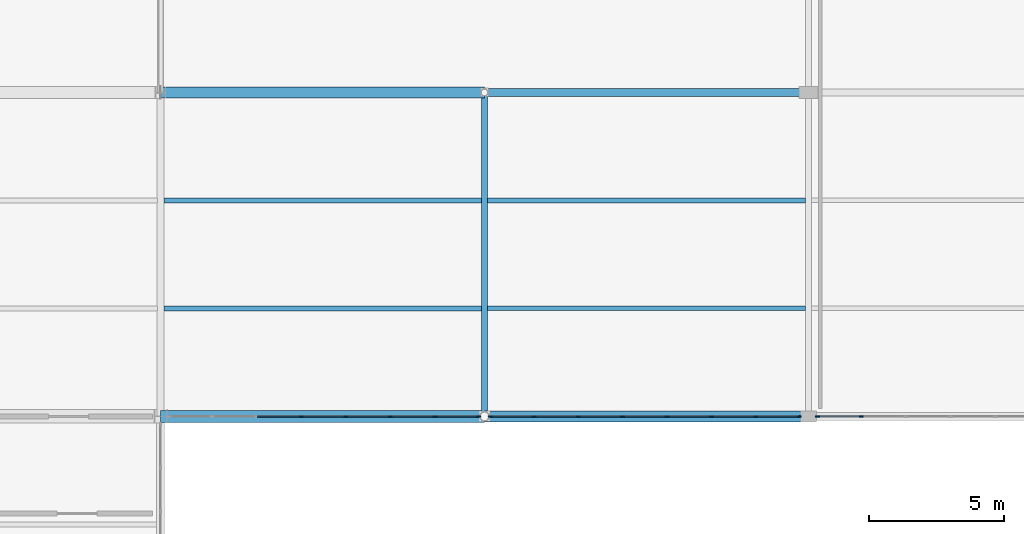
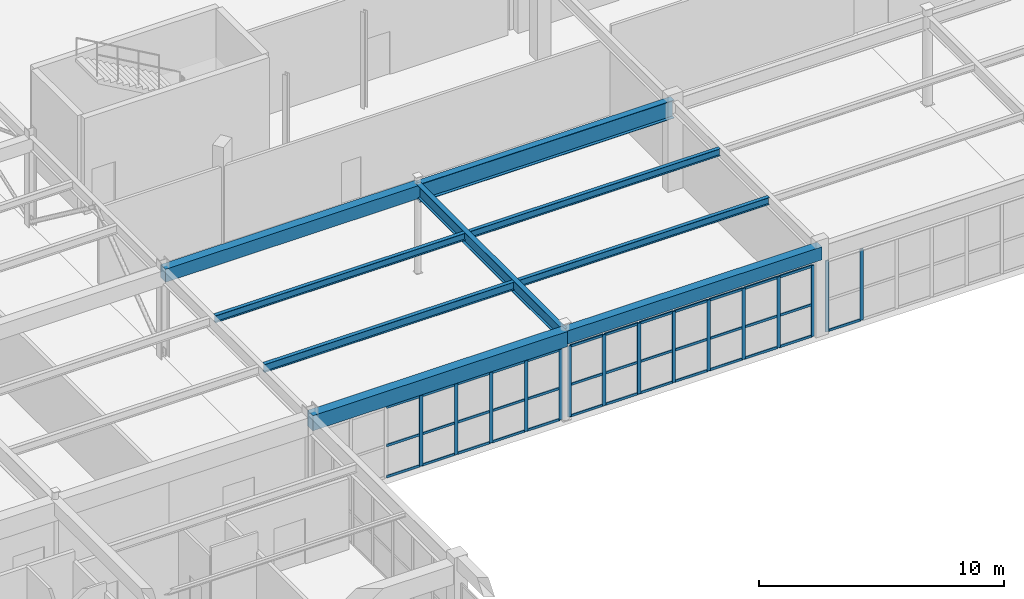
# One storey, part 96 of 226: 52 members, 9 beams, 3 elements without a shape of their own.
"""IFC4 building model written with IfcOpenShell, lengths in metres."""

from ifc_helpers import new_model, si_unit, direction, frame, origin, origin_2d, place, context, subcontext, project, spatial, rectangle, i_section, extrude, material, layer, layer_set, material_profile, profile_set, type_object, element, aggregate, save


model = new_model("IFC4")

# Units and contexts
model_context = context("Model", 3, precision=1e-05, world=origin(), true_north=direction((0.0, 1.0)))
body_context = subcontext(model_context, "Body", "Model", "MODEL_VIEW")
ifc_project = project(units=[si_unit("LENGTHUNIT", "METRE"), si_unit("AREAUNIT", "SQUARE_METRE"), si_unit("VOLUMEUNIT", "CUBIC_METRE"), si_unit("PLANEANGLEUNIT", "RADIAN"), si_unit("MASSUNIT", "GRAM", prefix="KILO")], contexts=[model_context])

# Site, building, storey
site_placement = place(None, origin())
site = spatial("IfcSite", under=ifc_project, at=site_placement, CompositionType="ELEMENT")
building_placement = place(site_placement, origin())
building = spatial("IfcBuilding", under=site, at=building_placement, Name="Tarnwether General Hospital", CompositionType="ELEMENT")
storey_placement = place(building_placement, frame((0.0, 0.0, 4.800048828125)))
storey = spatial("IfcBuildingStorey", under=building, at=storey_placement, Name="L01", CompositionType="ELEMENT", Elevation=4.800048828125)

# Beams
ifc_material_1 = material(Name="Steel Grade 350 (350 MPa)", Category="steel")
ifc_material_profile_1 = material_profile(ifc_material_1, i_section(OverallWidth=0.300048828125, OverallDepth=0.89990234375, WebThickness=0.011962890625, FlangeThickness=0.02001953125, at=origin_2d()), Name="900WB175")
ifc_profile_set_1 = profile_set([ifc_material_profile_1], Name="Steel Grade 350 (350 MPa)")
beam_type_1 = type_object("IfcBeamType", Name="BM-G01", PredefinedType="BEAM", material=ifc_profile_set_1)
beam_1_placement = place(storey_placement, frame((72.0, 93.60009765625, 3.994873046875), z_axis=(1.0, 0.0, 0.0), x_axis=(0.0, 1.0, 0.0)))
element("IfcBeam", 1, at=beam_1_placement, inside=storey, type_object=beam_type_1, Name="Primary Girder BMG-L01-7200_9360-8400_9360-1141", PredefinedType="BEAM", context=body_context, shape_type="SweptSolid", body=[
    extrude(i_section(OverallWidth=0.300048828125, OverallDepth=0.89990234375, WebThickness=0.011962890625, FlangeThickness=0.02001953125, at=origin_2d()), origin(), (0.0, 0.0, 1.0), 12.0),
])
ifc_material_2 = material(Name="Steel Grade 350 (350 MPa)", Category="steel")
ifc_material_profile_2 = material_profile(ifc_material_2, i_section(OverallWidth=0.22900390625, OverallDepth=0.612060546875, WebThickness=0.011962890625, FlangeThickness=0.01953125, at=origin_2d()), Name="610UB125")
ifc_profile_set_2 = profile_set([ifc_material_profile_2], Name="Steel Grade 350 (350 MPa)")
beam_type_2 = type_object("IfcBeamType", Name="BM-G03", PredefinedType="BEAM", material=ifc_profile_set_2)
beam_2_placement = place(storey_placement, frame((72.0, 81.60009765625, 4.138916015625), z_axis=(0.0, 1.0, 0.0), x_axis=(-1.0, 0.0, 0.0)))
element("IfcBeam", 2, at=beam_2_placement, inside=storey, type_object=beam_type_2, Name="Primary Girder BMG-L01-7200_8160-7200_9360-1140", PredefinedType="BEAM", context=body_context, shape_type="SweptSolid", body=[
    extrude(i_section(OverallWidth=0.22900390625, OverallDepth=0.612060546875, WebThickness=0.011962890625, FlangeThickness=0.01953125, at=origin_2d()), origin(), (0.0, 0.0, 1.0), 12.0),
])
ifc_material_3 = material(Name="Concrete 40 MPa", Category="concrete")
ifc_material_profile_3 = material_profile(ifc_material_3, rectangle(XDim=0.449951171875, YDim=0.75, at=origin_2d()), Name="RC-BM-450x750")
ifc_profile_set_3 = profile_set([ifc_material_profile_3], Name="Concrete 40 MPa")
beam_type_3 = type_object("IfcBeamType", Name="BM-G13", PredefinedType="BEAM", material=ifc_profile_set_3)
beam_3_placement = place(storey_placement, frame((60.0, 81.60009765625, 4.070068359375), z_axis=(1.0, 0.0, 0.0), x_axis=(0.0, 1.0, 0.0)))
element("IfcBeam", 3, at=beam_3_placement, inside=storey, type_object=beam_type_3, Name="Primary Girder BMG-L01-6000_8160-7200_8160-1128", PredefinedType="BEAM", context=body_context, shape_type="SweptSolid", body=[
    extrude(rectangle(XDim=0.449951171875, YDim=0.75, at=origin_2d()), origin(), (0.0, 0.0, 1.0), 12.0),
])
ifc_material_4 = material(Name="Concrete 40 MPa", Category="concrete")
ifc_material_profile_4 = material_profile(ifc_material_4, rectangle(XDim=0.39990234375, YDim=0.64990234375, at=origin_2d()), Name="RC-BM-400x650")
ifc_profile_set_4 = profile_set([ifc_material_profile_4], Name="Concrete 40 MPa")
beam_type_4 = type_object("IfcBeamType", Name="BM-G14", PredefinedType="BEAM", material=ifc_profile_set_4)
for number, where, z_axis, x_axis, name in (
    (4, (60.0, 93.60009765625, 4.119873046875), (1.0, 0.0, 0.0), (0.0, 1.0, 0.0), "Primary Girder BMG-L01-6000_9360-7200_9360-1130"),
    (5, (72.0, 81.60009765625, 4.119873046875), (1.0, 0.0, 0.0), (0.0, 1.0, 0.0), "Primary Girder BMG-L01-7200_8160-8400_8160-1139"),
):
    element("IfcBeam", number, at=place(storey_placement, frame(where, z_axis=z_axis, x_axis=x_axis)), inside=storey, type_object=beam_type_4, Name=name, PredefinedType="BEAM", context=body_context, shape_type="SweptSolid", body=[
        extrude(rectangle(XDim=0.39990234375, YDim=0.64990234375, at=origin_2d()), origin(), (0.0, 0.0, 1.0), 12.0),
    ])
ifc_material_5 = material(Name="Steel Grade 350 (350 MPa)", Category="steel")
ifc_material_profile_5 = material_profile(ifc_material_5, i_section(OverallWidth=0.177978515625, OverallDepth=0.403076171875, WebThickness=0.007568359375, FlangeThickness=0.010986328125, at=origin_2d()), Name="410UB53.7")
ifc_profile_set_5 = profile_set([ifc_material_profile_5], Name="Steel Grade 350 (350 MPa)")
beam_type_5 = type_object("IfcBeamType", Name="BM-J02", PredefinedType="JOIST", material=ifc_profile_set_5)
beam_4_placement = place(storey_placement, frame((60.118896484375, 85.60009765625, 4.243408203125), z_axis=(1.0, 0.0, 0.0), x_axis=(0.0, 1.0, 0.0)))
element("IfcBeam", 6, at=beam_4_placement, inside=storey, type_object=beam_type_5, Name="Composite Floor Joist BMG-L01-6012_8560-7189_8560-1355", PredefinedType="JOIST", context=body_context, shape_type="SweptSolid", body=[
    extrude(i_section(OverallWidth=0.177978515625, OverallDepth=0.403076171875, WebThickness=0.007568359375, FlangeThickness=0.010986328125, at=origin_2d()), origin(), (0.0, 0.0, 1.0), 11.772216796875),
])
ifc_material_6 = material(Name="Steel Grade 350 (350 MPa)", Category="steel")
ifc_material_profile_6 = material_profile(ifc_material_6, i_section(OverallWidth=0.172119140625, OverallDepth=0.35888671875, WebThickness=0.008056640625, FlangeThickness=0.012939453125, at=origin_2d()), Name="360UB56.7")
ifc_profile_set_6 = profile_set([ifc_material_profile_6], Name="Steel Grade 350 (350 MPa)")
beam_type_6 = type_object("IfcBeamType", Name="BM-J03", PredefinedType="JOIST", material=ifc_profile_set_6)
beam_5_placement = place(storey_placement, frame((60.118896484375, 89.60009765625, 4.265380859375), z_axis=(1.0, 0.0, 0.0), x_axis=(0.0, 1.0, 0.0)))
element("IfcBeam", 7, at=beam_5_placement, inside=storey, type_object=beam_type_6, Name="Composite Floor Joist BMG-L01-6012_8960-7189_8960-1356", PredefinedType="JOIST", context=body_context, shape_type="SweptSolid", body=[
    extrude(i_section(OverallWidth=0.172119140625, OverallDepth=0.35888671875, WebThickness=0.008056640625, FlangeThickness=0.012939453125, at=origin_2d()), origin(), (0.0, 0.0, 1.0), 11.772216796875),
])
beam_6_placement = place(storey_placement, frame((72.10888671875, 85.60009765625, 4.265380859375), z_axis=(1.0, 0.0, 0.0), x_axis=(0.0, 1.0, 0.0)))
element("IfcBeam", 8, at=beam_6_placement, inside=storey, type_object=beam_type_6, Name="Composite Floor Joist BMG-L01-7211_8560-8389_8560-1359", PredefinedType="JOIST", context=body_context, shape_type="SweptSolid", body=[
    extrude(i_section(OverallWidth=0.172119140625, OverallDepth=0.35888671875, WebThickness=0.008056640625, FlangeThickness=0.012939453125, at=origin_2d()), origin(), (0.0, 0.0, 1.0), 11.783203125),
])
ifc_material_7 = material(Name="Steel Grade 350 (350 MPa)", Category="steel")
ifc_material_profile_7 = material_profile(ifc_material_7, i_section(OverallWidth=0.1708984375, OverallDepth=0.35595703125, WebThickness=0.00732421875, FlangeThickness=0.011474609375, at=origin_2d()), Name="360UB50.7")
ifc_profile_set_7 = profile_set([ifc_material_profile_7], Name="Steel Grade 350 (350 MPa)")
beam_type_7 = type_object("IfcBeamType", Name="BM-J04", PredefinedType="JOIST", material=ifc_profile_set_7)
beam_7_placement = place(storey_placement, frame((72.10888671875, 89.60009765625, 4.266845703125), z_axis=(1.0, 0.0, 0.0), x_axis=(0.0, 1.0, 0.0)))
element("IfcBeam", 9, at=beam_7_placement, inside=storey, type_object=beam_type_7, Name="Composite Floor Joist BMG-L01-7211_8960-8389_8960-1360", PredefinedType="JOIST", context=body_context, shape_type="SweptSolid", body=[
    extrude(i_section(OverallWidth=0.1708984375, OverallDepth=0.35595703125, WebThickness=0.00732421875, FlangeThickness=0.011474609375, at=origin_2d()), origin(), (0.0, 0.0, 1.0), 11.783203125),
])

# Curtain wall, members
ifc_material_8 = material(Name="Anodised aluminium", Category="aluminium")
ifc_layer = layer(ifc_material_8, 0.159912109375)
ifc_layer_set = layer_set([ifc_layer], Name="Anodised aluminium")
curtain_wall_type = type_object("IfcCurtainWallType", Name="CW-23", PredefinedType="NOTDEFINED", material=ifc_layer_set)
curtain_wall_1_placement = place(storey_placement, origin())
curtain_wall_1 = element("IfcCurtainWall", 10, at=curtain_wall_1_placement, inside=storey, type_object=curtain_wall_type, Name="Curtain Wall CWG-L01-603_816-0339", PredefinedType="NOTDEFINED")
ifc_material_9 = material(Name="Anodised aluminium", Category="aluminium")
ifc_material_profile_8 = material_profile(ifc_material_9, rectangle(XDim=0.06005859375, YDim=0.159912109375, at=origin_2d()), Name="ALU-MUL-60x160")
ifc_profile_set_8 = profile_set([ifc_material_profile_8], Name="Anodised aluminium")
member_type_1 = type_object("IfcMemberType", Name="CW-ML1", PredefinedType="MULLION", material=ifc_profile_set_8)
member_1_placement = place(storey_placement, frame((65.210693359375, 81.60009765625, 0.0), z_axis=(0.0, 0.0, 1.0), x_axis=(0.0, 1.0, 0.0)))
member_1 = element("IfcMember", 11, at=member_1_placement, type_object=member_type_1, Name="CW-23 mullion 4", PredefinedType="MULLION", context=body_context, shape_type="SweptSolid", body=[
    extrude(rectangle(XDim=0.06005859375, YDim=0.159912109375, at=origin_2d()), origin(), (0.0, 0.0, 1.0), 3.514892578125),
])
member_2_placement = place(storey_placement, frame((66.861328125, 81.60009765625, 0.0), z_axis=(0.0, 0.0, 1.0), x_axis=(0.0, 1.0, 0.0)))
member_2 = element("IfcMember", 12, at=member_2_placement, type_object=member_type_1, Name="CW-23 mullion 5", PredefinedType="MULLION", context=body_context, shape_type="SweptSolid", body=[
    extrude(rectangle(XDim=0.06005859375, YDim=0.159912109375, at=origin_2d()), origin(), (0.0, 0.0, 1.0), 3.514892578125),
])
member_3_placement = place(storey_placement, frame((68.51220703125, 81.60009765625, 0.0), z_axis=(0.0, 0.0, 1.0), x_axis=(0.0, 1.0, 0.0)))
member_3 = element("IfcMember", 13, at=member_3_placement, type_object=member_type_1, Name="CW-23 mullion 6", PredefinedType="MULLION", context=body_context, shape_type="SweptSolid", body=[
    extrude(rectangle(XDim=0.06005859375, YDim=0.159912109375, at=origin_2d()), origin(), (0.0, 0.0, 1.0), 3.514892578125),
])
member_4_placement = place(storey_placement, frame((70.1630859375, 81.60009765625, 0.0), z_axis=(0.0, 0.0, 1.0), x_axis=(0.0, 1.0, 0.0)))
member_4 = element("IfcMember", 14, at=member_4_placement, type_object=member_type_1, Name="CW-23 mullion 7", PredefinedType="MULLION", context=body_context, shape_type="SweptSolid", body=[
    extrude(rectangle(XDim=0.06005859375, YDim=0.159912109375, at=origin_2d()), origin(), (0.0, 0.0, 1.0), 3.514892578125),
])
member_5_placement = place(storey_placement, frame((71.783935546875, 81.60009765625, 0.0), z_axis=(0.0, 0.0, 1.0), x_axis=(0.0, 1.0, 0.0)))
member_5 = element("IfcMember", 15, at=member_5_placement, type_object=member_type_1, Name="CW-23 mullion 8", PredefinedType="MULLION", context=body_context, shape_type="SweptSolid", body=[
    extrude(rectangle(XDim=0.06005859375, YDim=0.159912109375, at=origin_2d()), origin(), (0.0, 0.0, 1.0), 3.514892578125),
])

curtain_wall_2_placement = place(storey_placement, origin())
curtain_wall_2 = element("IfcCurtainWall", 16, at=curtain_wall_2_placement, inside=storey, type_object=curtain_wall_type, Name="Curtain Wall CWG-L01-722_816-0340", PredefinedType="NOTDEFINED")
member_6_placement = place(storey_placement, frame((72.216064453125, 81.60009765625, 0.0), z_axis=(0.0, 0.0, 1.0), x_axis=(0.0, 1.0, 0.0)))
member_6 = element("IfcMember", 17, at=member_6_placement, type_object=member_type_1, Name="CW-23 mullion 1", PredefinedType="MULLION", context=body_context, shape_type="SweptSolid", body=[
    extrude(rectangle(XDim=0.06005859375, YDim=0.159912109375, at=origin_2d()), origin(), (0.0, 0.0, 1.0), 3.530029296875),
])
member_7_placement = place(storey_placement, frame((73.829833984375, 81.60009765625, 0.0), z_axis=(0.0, 0.0, 1.0), x_axis=(0.0, 1.0, 0.0)))
member_7 = element("IfcMember", 18, at=member_7_placement, type_object=member_type_1, Name="CW-23 mullion 2", PredefinedType="MULLION", context=body_context, shape_type="SweptSolid", body=[
    extrude(rectangle(XDim=0.06005859375, YDim=0.159912109375, at=origin_2d()), origin(), (0.0, 0.0, 1.0), 3.530029296875),
])
member_8_placement = place(storey_placement, frame((75.473388671875, 81.60009765625, 0.0), z_axis=(0.0, 0.0, 1.0), x_axis=(0.0, 1.0, 0.0)))
member_8 = element("IfcMember", 19, at=member_8_placement, type_object=member_type_1, Name="CW-23 mullion 3", PredefinedType="MULLION", context=body_context, shape_type="SweptSolid", body=[
    extrude(rectangle(XDim=0.06005859375, YDim=0.159912109375, at=origin_2d()), origin(), (0.0, 0.0, 1.0), 3.530029296875),
])
member_9_placement = place(storey_placement, frame((77.1171875, 81.60009765625, 0.0), z_axis=(0.0, 0.0, 1.0), x_axis=(0.0, 1.0, 0.0)))
member_9 = element("IfcMember", 20, at=member_9_placement, type_object=member_type_1, Name="CW-23 mullion 4", PredefinedType="MULLION", context=body_context, shape_type="SweptSolid", body=[
    extrude(rectangle(XDim=0.06005859375, YDim=0.159912109375, at=origin_2d()), origin(), (0.0, 0.0, 1.0), 3.530029296875),
])
member_10_placement = place(storey_placement, frame((78.7607421875, 81.60009765625, 0.0), z_axis=(0.0, 0.0, 1.0), x_axis=(0.0, 1.0, 0.0)))
member_10 = element("IfcMember", 21, at=member_10_placement, type_object=member_type_1, Name="CW-23 mullion 5", PredefinedType="MULLION", context=body_context, shape_type="SweptSolid", body=[
    extrude(rectangle(XDim=0.06005859375, YDim=0.159912109375, at=origin_2d()), origin(), (0.0, 0.0, 1.0), 3.530029296875),
])
member_11_placement = place(storey_placement, frame((80.404541015625, 81.60009765625, 0.0), z_axis=(0.0, 0.0, 1.0), x_axis=(0.0, 1.0, 0.0)))
member_11 = element("IfcMember", 22, at=member_11_placement, type_object=member_type_1, Name="CW-23 mullion 6", PredefinedType="MULLION", context=body_context, shape_type="SweptSolid", body=[
    extrude(rectangle(XDim=0.06005859375, YDim=0.159912109375, at=origin_2d()), origin(), (0.0, 0.0, 1.0), 3.530029296875),
])
member_12_placement = place(storey_placement, frame((82.04833984375, 81.60009765625, 0.0), z_axis=(0.0, 0.0, 1.0), x_axis=(0.0, 1.0, 0.0)))
member_12 = element("IfcMember", 23, at=member_12_placement, type_object=member_type_1, Name="CW-23 mullion 7", PredefinedType="MULLION", context=body_context, shape_type="SweptSolid", body=[
    extrude(rectangle(XDim=0.06005859375, YDim=0.159912109375, at=origin_2d()), origin(), (0.0, 0.0, 1.0), 3.530029296875),
])
member_13_placement = place(storey_placement, frame((83.662109375, 81.60009765625, 0.0), z_axis=(0.0, 0.0, 1.0), x_axis=(0.0, 1.0, 0.0)))
member_13 = element("IfcMember", 24, at=member_13_placement, type_object=member_type_1, Name="CW-23 mullion 8", PredefinedType="MULLION", context=body_context, shape_type="SweptSolid", body=[
    extrude(rectangle(XDim=0.06005859375, YDim=0.159912109375, at=origin_2d()), origin(), (0.0, 0.0, 1.0), 3.530029296875),
])

curtain_wall_3_placement = place(storey_placement, origin())
curtain_wall_3 = element("IfcCurtainWall", 25, at=curtain_wall_3_placement, inside=storey, type_object=curtain_wall_type, Name="Curtain Wall CWG-L01-843_816-0341", PredefinedType="NOTDEFINED")
member_14_placement = place(storey_placement, frame((84.337890625, 81.60009765625, 0.0), z_axis=(0.0, 0.0, 1.0), x_axis=(0.0, 1.0, 0.0)))
member_14 = element("IfcMember", 26, at=member_14_placement, type_object=member_type_1, Name="CW-23 mullion 1", PredefinedType="MULLION", context=body_context, shape_type="SweptSolid", body=[
    extrude(rectangle(XDim=0.06005859375, YDim=0.159912109375, at=origin_2d()), origin(), (0.0, 0.0, 1.0), 3.530029296875),
])
member_15_placement = place(storey_placement, frame((85.958740234375, 81.60009765625, 0.0), z_axis=(0.0, 0.0, 1.0), x_axis=(0.0, 1.0, 0.0)))
member_15 = element("IfcMember", 27, at=member_15_placement, type_object=member_type_1, Name="CW-23 mullion 2", PredefinedType="MULLION", context=body_context, shape_type="SweptSolid", body=[
    extrude(rectangle(XDim=0.06005859375, YDim=0.159912109375, at=origin_2d()), origin(), (0.0, 0.0, 1.0), 3.530029296875),
])

# Member
ifc_material_10 = material(Name="Anodised aluminium", Category="aluminium")
ifc_material_profile_9 = material_profile(ifc_material_10, rectangle(XDim=0.06005859375, YDim=0.1201171875, at=origin_2d()), Name="ALU-TRN-60x120")
ifc_profile_set_9 = profile_set([ifc_material_profile_9], Name="Anodised aluminium")
member_type_2 = type_object("IfcMemberType", Name="CW-TR1", PredefinedType="USERDEFINED", material=ifc_profile_set_9)
member_16_placement = place(storey_placement, frame((63.589599609375, 81.60009765625, 0.030029296875), z_axis=(1.0, 0.0, 0.0), x_axis=(0.0, 1.0, 0.0)))
member_16 = element("IfcMember", 28, at=member_16_placement, type_object=member_type_2, Name="CW-23 transom 3.1", ObjectType="TRANSOM", PredefinedType="USERDEFINED", context=body_context, shape_type="SweptSolid", body=[
    extrude(rectangle(XDim=0.06005859375, YDim=0.1201171875, at=origin_2d()), origin(), (0.0, 0.0, 1.0), 1.591064453125),
])

member_17_placement = place(storey_placement, frame((63.589599609375, 81.60009765625, 1.581787109375), z_axis=(1.0, 0.0, 0.0), x_axis=(0.0, 1.0, 0.0)))
member_17 = element("IfcMember", 29, at=member_17_placement, type_object=member_type_2, Name="CW-23 transom 3.2", ObjectType="TRANSOM", PredefinedType="USERDEFINED", context=body_context, shape_type="SweptSolid", body=[
    extrude(rectangle(XDim=0.06005859375, YDim=0.1201171875, at=origin_2d()), origin(), (0.0, 0.0, 1.0), 1.591064453125),
])

member_18_placement = place(storey_placement, frame((63.589599609375, 81.60009765625, 3.48486328125), z_axis=(1.0, 0.0, 0.0), x_axis=(0.0, 1.0, 0.0)))
member_18 = element("IfcMember", 30, at=member_18_placement, type_object=member_type_2, Name="CW-23 transom 3.3", ObjectType="TRANSOM", PredefinedType="USERDEFINED", context=body_context, shape_type="SweptSolid", body=[
    extrude(rectangle(XDim=0.06005859375, YDim=0.1201171875, at=origin_2d()), origin(), (0.0, 0.0, 1.0), 1.591064453125),
])

member_19_placement = place(storey_placement, frame((65.240478515625, 81.60009765625, 0.030029296875), z_axis=(1.0, 0.0, 0.0), x_axis=(0.0, 1.0, 0.0)))
member_19 = element("IfcMember", 31, at=member_19_placement, type_object=member_type_2, Name="CW-23 transom 4.1", ObjectType="TRANSOM", PredefinedType="USERDEFINED", context=body_context, shape_type="SweptSolid", body=[
    extrude(rectangle(XDim=0.06005859375, YDim=0.1201171875, at=origin_2d()), origin(), (0.0, 0.0, 1.0), 1.591064453125),
])

member_20_placement = place(storey_placement, frame((65.240478515625, 81.60009765625, 1.581787109375), z_axis=(1.0, 0.0, 0.0), x_axis=(0.0, 1.0, 0.0)))
member_20 = element("IfcMember", 32, at=member_20_placement, type_object=member_type_2, Name="CW-23 transom 4.2", ObjectType="TRANSOM", PredefinedType="USERDEFINED", context=body_context, shape_type="SweptSolid", body=[
    extrude(rectangle(XDim=0.06005859375, YDim=0.1201171875, at=origin_2d()), origin(), (0.0, 0.0, 1.0), 1.591064453125),
])

member_21_placement = place(storey_placement, frame((65.240478515625, 81.60009765625, 3.48486328125), z_axis=(1.0, 0.0, 0.0), x_axis=(0.0, 1.0, 0.0)))
member_21 = element("IfcMember", 33, at=member_21_placement, type_object=member_type_2, Name="CW-23 transom 4.3", ObjectType="TRANSOM", PredefinedType="USERDEFINED", context=body_context, shape_type="SweptSolid", body=[
    extrude(rectangle(XDim=0.06005859375, YDim=0.1201171875, at=origin_2d()), origin(), (0.0, 0.0, 1.0), 1.591064453125),
])

member_22_placement = place(storey_placement, frame((66.891357421875, 81.60009765625, 0.030029296875), z_axis=(1.0, 0.0, 0.0), x_axis=(0.0, 1.0, 0.0)))
member_22 = element("IfcMember", 34, at=member_22_placement, type_object=member_type_2, Name="CW-23 transom 5.1", ObjectType="TRANSOM", PredefinedType="USERDEFINED", context=body_context, shape_type="SweptSolid", body=[
    extrude(rectangle(XDim=0.06005859375, YDim=0.1201171875, at=origin_2d()), origin(), (0.0, 0.0, 1.0), 1.5908203125),
])

member_23_placement = place(storey_placement, frame((66.891357421875, 81.60009765625, 1.581787109375), z_axis=(1.0, 0.0, 0.0), x_axis=(0.0, 1.0, 0.0)))
member_23 = element("IfcMember", 35, at=member_23_placement, type_object=member_type_2, Name="CW-23 transom 5.2", ObjectType="TRANSOM", PredefinedType="USERDEFINED", context=body_context, shape_type="SweptSolid", body=[
    extrude(rectangle(XDim=0.06005859375, YDim=0.1201171875, at=origin_2d()), origin(), (0.0, 0.0, 1.0), 1.5908203125),
])

member_24_placement = place(storey_placement, frame((66.891357421875, 81.60009765625, 3.48486328125), z_axis=(1.0, 0.0, 0.0), x_axis=(0.0, 1.0, 0.0)))
member_24 = element("IfcMember", 36, at=member_24_placement, type_object=member_type_2, Name="CW-23 transom 5.3", ObjectType="TRANSOM", PredefinedType="USERDEFINED", context=body_context, shape_type="SweptSolid", body=[
    extrude(rectangle(XDim=0.06005859375, YDim=0.1201171875, at=origin_2d()), origin(), (0.0, 0.0, 1.0), 1.5908203125),
])

member_25_placement = place(storey_placement, frame((68.542236328125, 81.60009765625, 0.030029296875), z_axis=(1.0, 0.0, 0.0), x_axis=(0.0, 1.0, 0.0)))
member_25 = element("IfcMember", 37, at=member_25_placement, type_object=member_type_2, Name="CW-23 transom 6.1", ObjectType="TRANSOM", PredefinedType="USERDEFINED", context=body_context, shape_type="SweptSolid", body=[
    extrude(rectangle(XDim=0.06005859375, YDim=0.1201171875, at=origin_2d()), origin(), (0.0, 0.0, 1.0), 1.5908203125),
])

member_26_placement = place(storey_placement, frame((68.542236328125, 81.60009765625, 1.581787109375), z_axis=(1.0, 0.0, 0.0), x_axis=(0.0, 1.0, 0.0)))
member_26 = element("IfcMember", 38, at=member_26_placement, type_object=member_type_2, Name="CW-23 transom 6.2", ObjectType="TRANSOM", PredefinedType="USERDEFINED", context=body_context, shape_type="SweptSolid", body=[
    extrude(rectangle(XDim=0.06005859375, YDim=0.1201171875, at=origin_2d()), origin(), (0.0, 0.0, 1.0), 1.5908203125),
])

member_27_placement = place(storey_placement, frame((68.542236328125, 81.60009765625, 3.48486328125), z_axis=(1.0, 0.0, 0.0), x_axis=(0.0, 1.0, 0.0)))
member_27 = element("IfcMember", 39, at=member_27_placement, type_object=member_type_2, Name="CW-23 transom 6.3", ObjectType="TRANSOM", PredefinedType="USERDEFINED", context=body_context, shape_type="SweptSolid", body=[
    extrude(rectangle(XDim=0.06005859375, YDim=0.1201171875, at=origin_2d()), origin(), (0.0, 0.0, 1.0), 1.5908203125),
])

member_28_placement = place(storey_placement, frame((70.193115234375, 81.60009765625, 0.030029296875), z_axis=(1.0, 0.0, 0.0), x_axis=(0.0, 1.0, 0.0)))
member_28 = element("IfcMember", 40, at=member_28_placement, type_object=member_type_2, Name="CW-23 transom 7.1", ObjectType="TRANSOM", PredefinedType="USERDEFINED", context=body_context, shape_type="SweptSolid", body=[
    extrude(rectangle(XDim=0.06005859375, YDim=0.1201171875, at=origin_2d()), origin(), (0.0, 0.0, 1.0), 1.560791015625),
])

member_29_placement = place(storey_placement, frame((70.193115234375, 81.60009765625, 1.581787109375), z_axis=(1.0, 0.0, 0.0), x_axis=(0.0, 1.0, 0.0)))
member_29 = element("IfcMember", 41, at=member_29_placement, type_object=member_type_2, Name="CW-23 transom 7.2", ObjectType="TRANSOM", PredefinedType="USERDEFINED", context=body_context, shape_type="SweptSolid", body=[
    extrude(rectangle(XDim=0.06005859375, YDim=0.1201171875, at=origin_2d()), origin(), (0.0, 0.0, 1.0), 1.560791015625),
])

member_30_placement = place(storey_placement, frame((70.193115234375, 81.60009765625, 3.48486328125), z_axis=(1.0, 0.0, 0.0), x_axis=(0.0, 1.0, 0.0)))
member_30 = element("IfcMember", 42, at=member_30_placement, type_object=member_type_2, Name="CW-23 transom 7.3", ObjectType="TRANSOM", PredefinedType="USERDEFINED", context=body_context, shape_type="SweptSolid", body=[
    extrude(rectangle(XDim=0.06005859375, YDim=0.1201171875, at=origin_2d()), origin(), (0.0, 0.0, 1.0), 1.560791015625),
])

aggregate(curtain_wall_1, [member_1, member_2, member_3, member_4, member_5, member_16, member_17, member_18, member_19, member_20, member_21, member_22, member_23, member_24, member_25, member_26, member_27, member_28, member_29, member_30])

member_31_placement = place(storey_placement, frame((72.24609375, 81.60009765625, 0.030029296875), z_axis=(1.0, 0.0, 0.0), x_axis=(0.0, 1.0, 0.0)))
member_31 = element("IfcMember", 43, at=member_31_placement, type_object=member_type_2, Name="CW-23 transom 1.1", ObjectType="TRANSOM", PredefinedType="USERDEFINED", context=body_context, shape_type="SweptSolid", body=[
    extrude(rectangle(XDim=0.06005859375, YDim=0.1201171875, at=origin_2d()), origin(), (0.0, 0.0, 1.0), 1.5537109375),
])

member_32_placement = place(storey_placement, frame((72.24609375, 81.60009765625, 1.58837890625), z_axis=(1.0, 0.0, 0.0), x_axis=(0.0, 1.0, 0.0)))
member_32 = element("IfcMember", 44, at=member_32_placement, type_object=member_type_2, Name="CW-23 transom 1.2", ObjectType="TRANSOM", PredefinedType="USERDEFINED", context=body_context, shape_type="SweptSolid", body=[
    extrude(rectangle(XDim=0.06005859375, YDim=0.1201171875, at=origin_2d()), origin(), (0.0, 0.0, 1.0), 1.5537109375),
])

member_33_placement = place(storey_placement, frame((72.24609375, 81.60009765625, 3.5), z_axis=(1.0, 0.0, 0.0), x_axis=(0.0, 1.0, 0.0)))
member_33 = element("IfcMember", 45, at=member_33_placement, type_object=member_type_2, Name="CW-23 transom 1.3", ObjectType="TRANSOM", PredefinedType="USERDEFINED", context=body_context, shape_type="SweptSolid", body=[
    extrude(rectangle(XDim=0.06005859375, YDim=0.1201171875, at=origin_2d()), origin(), (0.0, 0.0, 1.0), 1.5537109375),
])

member_34_placement = place(storey_placement, frame((73.859619140625, 81.60009765625, 0.030029296875), z_axis=(1.0, 0.0, 0.0), x_axis=(0.0, 1.0, 0.0)))
member_34 = element("IfcMember", 46, at=member_34_placement, type_object=member_type_2, Name="CW-23 transom 2.1", ObjectType="TRANSOM", PredefinedType="USERDEFINED", context=body_context, shape_type="SweptSolid", body=[
    extrude(rectangle(XDim=0.06005859375, YDim=0.1201171875, at=origin_2d()), origin(), (0.0, 0.0, 1.0), 1.583740234375),
])

member_35_placement = place(storey_placement, frame((73.859619140625, 81.60009765625, 1.58837890625), z_axis=(1.0, 0.0, 0.0), x_axis=(0.0, 1.0, 0.0)))
member_35 = element("IfcMember", 47, at=member_35_placement, type_object=member_type_2, Name="CW-23 transom 2.2", ObjectType="TRANSOM", PredefinedType="USERDEFINED", context=body_context, shape_type="SweptSolid", body=[
    extrude(rectangle(XDim=0.06005859375, YDim=0.1201171875, at=origin_2d()), origin(), (0.0, 0.0, 1.0), 1.583740234375),
])

member_36_placement = place(storey_placement, frame((73.859619140625, 81.60009765625, 3.5), z_axis=(1.0, 0.0, 0.0), x_axis=(0.0, 1.0, 0.0)))
member_36 = element("IfcMember", 48, at=member_36_placement, type_object=member_type_2, Name="CW-23 transom 2.3", ObjectType="TRANSOM", PredefinedType="USERDEFINED", context=body_context, shape_type="SweptSolid", body=[
    extrude(rectangle(XDim=0.06005859375, YDim=0.1201171875, at=origin_2d()), origin(), (0.0, 0.0, 1.0), 1.583740234375),
])

member_37_placement = place(storey_placement, frame((75.50341796875, 81.60009765625, 0.030029296875), z_axis=(1.0, 0.0, 0.0), x_axis=(0.0, 1.0, 0.0)))
member_37 = element("IfcMember", 49, at=member_37_placement, type_object=member_type_2, Name="CW-23 transom 3.1", ObjectType="TRANSOM", PredefinedType="USERDEFINED", context=body_context, shape_type="SweptSolid", body=[
    extrude(rectangle(XDim=0.06005859375, YDim=0.1201171875, at=origin_2d()), origin(), (0.0, 0.0, 1.0), 1.583740234375),
])

member_38_placement = place(storey_placement, frame((75.50341796875, 81.60009765625, 1.58837890625), z_axis=(1.0, 0.0, 0.0), x_axis=(0.0, 1.0, 0.0)))
member_38 = element("IfcMember", 50, at=member_38_placement, type_object=member_type_2, Name="CW-23 transom 3.2", ObjectType="TRANSOM", PredefinedType="USERDEFINED", context=body_context, shape_type="SweptSolid", body=[
    extrude(rectangle(XDim=0.06005859375, YDim=0.1201171875, at=origin_2d()), origin(), (0.0, 0.0, 1.0), 1.583740234375),
])

member_39_placement = place(storey_placement, frame((75.50341796875, 81.60009765625, 3.5), z_axis=(1.0, 0.0, 0.0), x_axis=(0.0, 1.0, 0.0)))
member_39 = element("IfcMember", 51, at=member_39_placement, type_object=member_type_2, Name="CW-23 transom 3.3", ObjectType="TRANSOM", PredefinedType="USERDEFINED", context=body_context, shape_type="SweptSolid", body=[
    extrude(rectangle(XDim=0.06005859375, YDim=0.1201171875, at=origin_2d()), origin(), (0.0, 0.0, 1.0), 1.583740234375),
])

member_40_placement = place(storey_placement, frame((77.147216796875, 81.60009765625, 0.030029296875), z_axis=(1.0, 0.0, 0.0), x_axis=(0.0, 1.0, 0.0)))
member_40 = element("IfcMember", 52, at=member_40_placement, type_object=member_type_2, Name="CW-23 transom 4.1", ObjectType="TRANSOM", PredefinedType="USERDEFINED", context=body_context, shape_type="SweptSolid", body=[
    extrude(rectangle(XDim=0.06005859375, YDim=0.1201171875, at=origin_2d()), origin(), (0.0, 0.0, 1.0), 1.583740234375),
])

member_41_placement = place(storey_placement, frame((77.147216796875, 81.60009765625, 1.58837890625), z_axis=(1.0, 0.0, 0.0), x_axis=(0.0, 1.0, 0.0)))
member_41 = element("IfcMember", 53, at=member_41_placement, type_object=member_type_2, Name="CW-23 transom 4.2", ObjectType="TRANSOM", PredefinedType="USERDEFINED", context=body_context, shape_type="SweptSolid", body=[
    extrude(rectangle(XDim=0.06005859375, YDim=0.1201171875, at=origin_2d()), origin(), (0.0, 0.0, 1.0), 1.583740234375),
])

member_42_placement = place(storey_placement, frame((77.147216796875, 81.60009765625, 3.5), z_axis=(1.0, 0.0, 0.0), x_axis=(0.0, 1.0, 0.0)))
member_42 = element("IfcMember", 54, at=member_42_placement, type_object=member_type_2, Name="CW-23 transom 4.3", ObjectType="TRANSOM", PredefinedType="USERDEFINED", context=body_context, shape_type="SweptSolid", body=[
    extrude(rectangle(XDim=0.06005859375, YDim=0.1201171875, at=origin_2d()), origin(), (0.0, 0.0, 1.0), 1.583740234375),
])

member_43_placement = place(storey_placement, frame((78.790771484375, 81.60009765625, 0.030029296875), z_axis=(1.0, 0.0, 0.0), x_axis=(0.0, 1.0, 0.0)))
member_43 = element("IfcMember", 55, at=member_43_placement, type_object=member_type_2, Name="CW-23 transom 5.1", ObjectType="TRANSOM", PredefinedType="USERDEFINED", context=body_context, shape_type="SweptSolid", body=[
    extrude(rectangle(XDim=0.06005859375, YDim=0.1201171875, at=origin_2d()), origin(), (0.0, 0.0, 1.0), 1.583740234375),
])

member_44_placement = place(storey_placement, frame((78.790771484375, 81.60009765625, 1.58837890625), z_axis=(1.0, 0.0, 0.0), x_axis=(0.0, 1.0, 0.0)))
member_44 = element("IfcMember", 56, at=member_44_placement, type_object=member_type_2, Name="CW-23 transom 5.2", ObjectType="TRANSOM", PredefinedType="USERDEFINED", context=body_context, shape_type="SweptSolid", body=[
    extrude(rectangle(XDim=0.06005859375, YDim=0.1201171875, at=origin_2d()), origin(), (0.0, 0.0, 1.0), 1.583740234375),
])

member_45_placement = place(storey_placement, frame((78.790771484375, 81.60009765625, 3.5), z_axis=(1.0, 0.0, 0.0), x_axis=(0.0, 1.0, 0.0)))
member_45 = element("IfcMember", 57, at=member_45_placement, type_object=member_type_2, Name="CW-23 transom 5.3", ObjectType="TRANSOM", PredefinedType="USERDEFINED", context=body_context, shape_type="SweptSolid", body=[
    extrude(rectangle(XDim=0.06005859375, YDim=0.1201171875, at=origin_2d()), origin(), (0.0, 0.0, 1.0), 1.583740234375),
])

member_46_placement = place(storey_placement, frame((80.4345703125, 81.60009765625, 0.030029296875), z_axis=(1.0, 0.0, 0.0), x_axis=(0.0, 1.0, 0.0)))
member_46 = element("IfcMember", 58, at=member_46_placement, type_object=member_type_2, Name="CW-23 transom 6.1", ObjectType="TRANSOM", PredefinedType="USERDEFINED", context=body_context, shape_type="SweptSolid", body=[
    extrude(rectangle(XDim=0.06005859375, YDim=0.1201171875, at=origin_2d()), origin(), (0.0, 0.0, 1.0), 1.583740234375),
])

member_47_placement = place(storey_placement, frame((80.4345703125, 81.60009765625, 1.58837890625), z_axis=(1.0, 0.0, 0.0), x_axis=(0.0, 1.0, 0.0)))
member_47 = element("IfcMember", 59, at=member_47_placement, type_object=member_type_2, Name="CW-23 transom 6.2", ObjectType="TRANSOM", PredefinedType="USERDEFINED", context=body_context, shape_type="SweptSolid", body=[
    extrude(rectangle(XDim=0.06005859375, YDim=0.1201171875, at=origin_2d()), origin(), (0.0, 0.0, 1.0), 1.583740234375),
])

member_48_placement = place(storey_placement, frame((80.4345703125, 81.60009765625, 3.5), z_axis=(1.0, 0.0, 0.0), x_axis=(0.0, 1.0, 0.0)))
member_48 = element("IfcMember", 60, at=member_48_placement, type_object=member_type_2, Name="CW-23 transom 6.3", ObjectType="TRANSOM", PredefinedType="USERDEFINED", context=body_context, shape_type="SweptSolid", body=[
    extrude(rectangle(XDim=0.06005859375, YDim=0.1201171875, at=origin_2d()), origin(), (0.0, 0.0, 1.0), 1.583740234375),
])

member_49_placement = place(storey_placement, frame((82.078369140625, 81.60009765625, 0.030029296875), z_axis=(1.0, 0.0, 0.0), x_axis=(0.0, 1.0, 0.0)))
member_49 = element("IfcMember", 61, at=member_49_placement, type_object=member_type_2, Name="CW-23 transom 7.1", ObjectType="TRANSOM", PredefinedType="USERDEFINED", context=body_context, shape_type="SweptSolid", body=[
    extrude(rectangle(XDim=0.06005859375, YDim=0.1201171875, at=origin_2d()), origin(), (0.0, 0.0, 1.0), 1.5537109375),
])

member_50_placement = place(storey_placement, frame((82.078369140625, 81.60009765625, 1.58837890625), z_axis=(1.0, 0.0, 0.0), x_axis=(0.0, 1.0, 0.0)))
member_50 = element("IfcMember", 62, at=member_50_placement, type_object=member_type_2, Name="CW-23 transom 7.2", ObjectType="TRANSOM", PredefinedType="USERDEFINED", context=body_context, shape_type="SweptSolid", body=[
    extrude(rectangle(XDim=0.06005859375, YDim=0.1201171875, at=origin_2d()), origin(), (0.0, 0.0, 1.0), 1.5537109375),
])

member_51_placement = place(storey_placement, frame((82.078369140625, 81.60009765625, 3.5), z_axis=(1.0, 0.0, 0.0), x_axis=(0.0, 1.0, 0.0)))
member_51 = element("IfcMember", 63, at=member_51_placement, type_object=member_type_2, Name="CW-23 transom 7.3", ObjectType="TRANSOM", PredefinedType="USERDEFINED", context=body_context, shape_type="SweptSolid", body=[
    extrude(rectangle(XDim=0.06005859375, YDim=0.1201171875, at=origin_2d()), origin(), (0.0, 0.0, 1.0), 1.5537109375),
])

aggregate(curtain_wall_2, [member_6, member_7, member_8, member_9, member_10, member_11, member_12, member_13, member_31, member_32, member_33, member_34, member_35, member_36, member_37, member_38, member_39, member_40, member_41, member_42, member_43, member_44, member_45, member_46, member_47, member_48, member_49, member_50, member_51])

member_52_placement = place(storey_placement, frame((84.367919921875, 81.60009765625, 0.030029296875), z_axis=(1.0, 0.0, 0.0), x_axis=(0.0, 1.0, 0.0)))
member_52 = element("IfcMember", 64, at=member_52_placement, type_object=member_type_2, Name="CW-23 transom 1.1", ObjectType="TRANSOM", PredefinedType="USERDEFINED", context=body_context, shape_type="SweptSolid", body=[
    extrude(rectangle(XDim=0.06005859375, YDim=0.1201171875, at=origin_2d()), origin(), (0.0, 0.0, 1.0), 1.56103515625),
])

aggregate(curtain_wall_3, [member_14, member_15, member_52])

save(model, "model.ifc")
